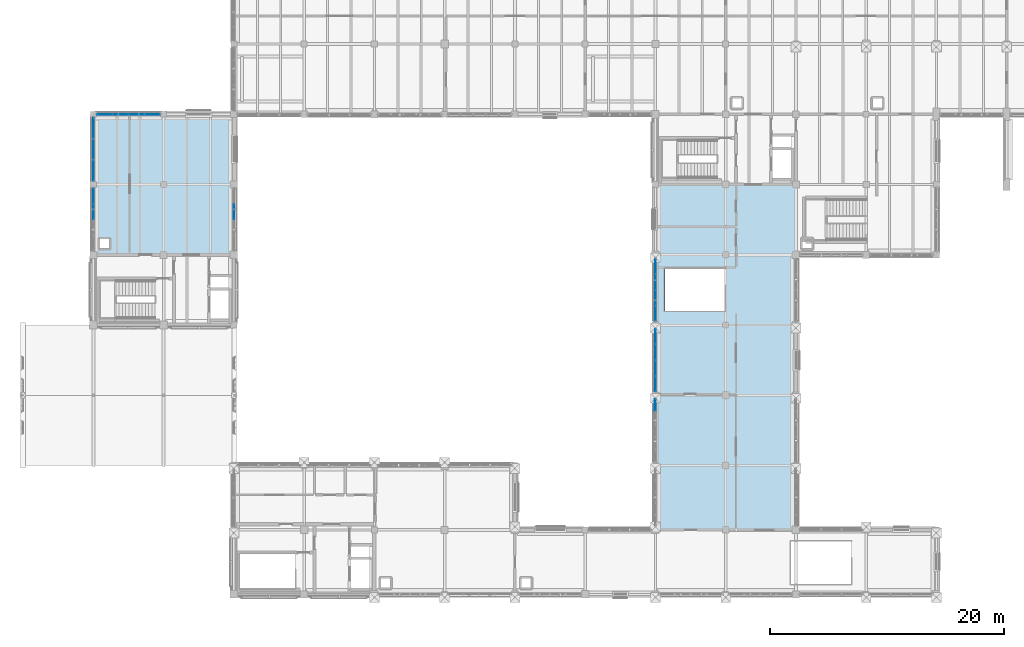
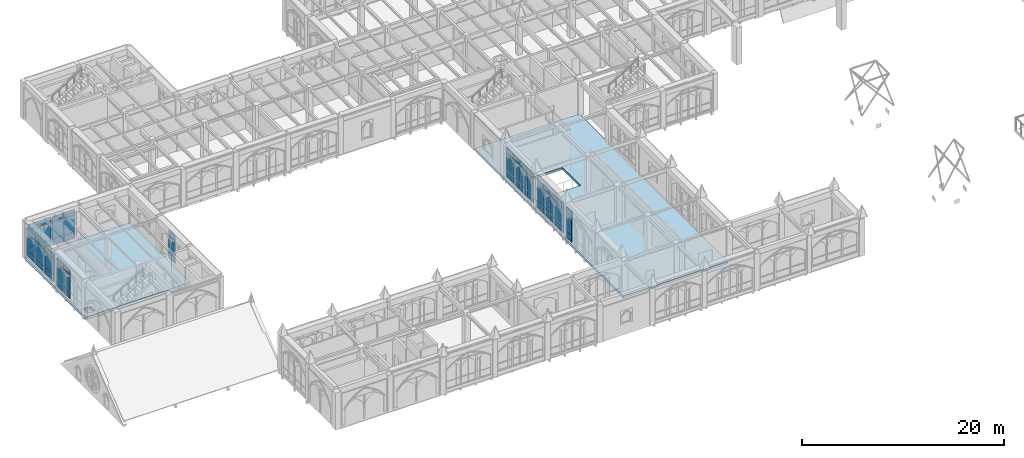
# One storey, part 87 of 143: 57 plates, 2 slabs, 7 elements without a shape of their own.
"""IFC4 building model written with IfcOpenShell, lengths in metres."""

from ifc_helpers import new_model, si_unit, direction, frame, origin, origin_2d, place, context, subcontext, project, spatial, polyline, rectangle, outline, extrude, material, layer, layer_set, type_object, element, aggregate, save


model = new_model("IFC4")

# Units and contexts
model_context = context("Model", 3, precision=1e-05, world=origin(), true_north=direction((0.0, 1.0)))
body_context = subcontext(model_context, "Body", "Model", "MODEL_VIEW")
ifc_project = project(units=[si_unit("LENGTHUNIT", "METRE"), si_unit("AREAUNIT", "SQUARE_METRE"), si_unit("VOLUMEUNIT", "CUBIC_METRE"), si_unit("PLANEANGLEUNIT", "RADIAN"), si_unit("MASSUNIT", "GRAM", prefix="KILO")], contexts=[model_context])

# Site, building, storey
site_placement = place(None, origin())
site = spatial("IfcSite", under=ifc_project, at=site_placement, CompositionType="ELEMENT")
building_placement = place(site_placement, origin())
building = spatial("IfcBuilding", under=site, at=building_placement, Name="Cumevento Cable Car Station", CompositionType="ELEMENT")
storey_placement = place(building_placement, frame((0.0, 0.0, 9.0)))
storey = spatial("IfcBuildingStorey", under=building, at=storey_placement, Name="L03", CompositionType="ELEMENT", Elevation=9.0)

# Slabs
ifc_material_1 = material(Name="Concrete C40/50", Category="concrete")
ifc_layer_1 = layer(ifc_material_1, 0.260009765625)
ifc_layer_set_1 = layer_set([ifc_layer_1], Name="Concrete C40/50")
slab_type_1 = type_object("IfcSlabType", Name="Concrete Deck FS-260 260", PredefinedType="FLOOR", material=ifc_layer_set_1)
slab_1_placement = place(storey_placement, frame((0.0, 0.0, -0.260009765625)))
element("IfcSlab", 1, at=slab_1_placement, inside=storey, type_object=slab_type_1, Name="Floor Slab FS-260 L03 B_V2b.1", PredefinedType="FLOOR", context=body_context, shape_type="SweptSolid", body=[
    extrude(outline(polyline([(58.0, 9.5), (70.0, 9.5), (70.0, 39.0), (58.0, 39.0), (58.0, 9.5)]), holes=[polyline([(58.800048828125, 28.199951171875), (63.89990234375, 28.199951171875), (63.89990234375, 31.800048828125), (58.800048828125, 31.800048828125), (58.800048828125, 28.199951171875)])]), origin(), (0.0, 0.0, 1.0), 0.260009765625),
])
ifc_material_2 = material(Name="Concrete C40/50", Category="concrete")
ifc_layer_2 = layer(ifc_material_2, 0.31494140625)
ifc_layer_set_2 = layer_set([ifc_layer_2], Name="Concrete C40/50")
slab_type_2 = type_object("IfcSlabType", Name="Concrete Deck FS-315 315", PredefinedType="FLOOR", material=ifc_layer_set_2)
slab_2_placement = place(storey_placement, frame((0.0, 0.0, -0.31494140625)))
element("IfcSlab", 2, at=slab_2_placement, inside=storey, type_object=slab_type_2, Name="Floor Slab FS-315 L03 B_V6b.1", PredefinedType="FLOOR", context=body_context, shape_type="SweptSolid", body=[
    extrude(outline(polyline([(10.0, 33.0), (22.0, 33.0), (22.0, 45.0), (10.0, 45.0), (10.0, 33.0)]), holes=[polyline([(10.550048828125, 33.550048828125), (11.35009765625, 33.550048828125), (11.35009765625, 34.35009765625), (10.550048828125, 34.35009765625), (10.550048828125, 33.550048828125)])]), origin(), (0.0, 0.0, 1.0), 0.31494140625),
])

# Curtain wall, plates
ifc_material_3 = material(Name="Anodised Bronze Aluminium AW-6063-T6", Category="aluminium")
ifc_layer_3 = layer(ifc_material_3, 0.18408203125)
ifc_layer_set_3 = layer_set([ifc_layer_3], Name="Anodised Bronze Aluminium AW-6063-T6")
curtain_wall_type_1 = type_object("IfcCurtainWallType", Name="Lancet Curtain Wall CW-05 1210", PredefinedType="NOTDEFINED", material=ifc_layer_set_3)
curtain_wall_1_placement = place(storey_placement, origin())
curtain_wall_1 = element("IfcCurtainWall", 3, at=curtain_wall_1_placement, inside=storey, type_object=curtain_wall_type_1, Name="Lancet Curtain Wall CW-05 L03 #84", PredefinedType="NOTDEFINED")
ifc_material_4 = material(Name="Solar Control Laminated Double Glazing", Category="glass")
ifc_layer_4 = layer(ifc_material_4, 0.02197265625)
ifc_layer_set_4 = layer_set([ifc_layer_4], Name="Solar Control Laminated Double Glazing")
plate_type_1 = type_object("IfcPlateType", Name="Glazed Panel CWP-01 22", PredefinedType="CURTAIN_PANEL", material=ifc_layer_set_4)
plate_1_placement = place(storey_placement, frame((58.0, 21.969482421875, 0.425048828125), z_axis=(0.0, 0.0, 1.0), x_axis=(0.0, 1.0, 0.0)))
plate_1 = element("IfcPlate", 4, at=plate_1_placement, type_object=plate_type_1, Name="CW-05 panel 1.1", PredefinedType="CURTAIN_PANEL", context=body_context, shape_type="SweptSolid", body=[
    extrude(rectangle(XDim=1.2587890625, YDim=0.02197265625, at=origin_2d()), origin(), (0.0, 0.0, 1.0), 0.75244140625),
])
plate_2_placement = place(storey_placement, frame((58.0, 21.969482421875, 1.24267578125), z_axis=(0.0, 0.0, 1.0), x_axis=(0.0, 1.0, 0.0)))
plate_2 = element("IfcPlate", 5, at=plate_2_placement, type_object=plate_type_1, Name="CW-05 panel 1.2", PredefinedType="CURTAIN_PANEL", context=body_context, shape_type="SweptSolid", body=[
    extrude(rectangle(XDim=1.2587890625, YDim=0.02197265625, at=origin_2d()), origin(), (0.0, 0.0, 1.0), 2.117919921875),
])
plate_3_placement = place(storey_placement, frame((58.0, 21.969482421875, 3.425537109375), z_axis=(0.0, 0.0, 1.0), x_axis=(0.0, 1.0, 0.0)))
plate_3 = element("IfcPlate", 6, at=plate_3_placement, type_object=plate_type_1, Name="CW-05 panel 1.3", PredefinedType="CURTAIN_PANEL", context=body_context, shape_type="SweptSolid", body=[
    extrude(rectangle(XDim=1.2587890625, YDim=0.02197265625, at=origin_2d()), origin(), (0.0, 0.0, 1.0), 0.6025390625),
])
plate_4_placement = place(storey_placement, frame((58.0, 23.309326171875, 0.425048828125), z_axis=(0.0, 0.0, 1.0), x_axis=(0.0, 1.0, 0.0)))
plate_4 = element("IfcPlate", 7, at=plate_4_placement, type_object=plate_type_1, Name="CW-05 panel 2.1", PredefinedType="CURTAIN_PANEL", context=body_context, shape_type="SweptSolid", body=[
    extrude(rectangle(XDim=1.291259765625, YDim=0.02197265625, at=origin_2d()), origin(), (0.0, 0.0, 1.0), 0.75244140625),
])
plate_5_placement = place(storey_placement, frame((58.0, 23.309326171875, 1.24267578125), z_axis=(0.0, 0.0, 1.0), x_axis=(0.0, 1.0, 0.0)))
plate_5 = element("IfcPlate", 8, at=plate_5_placement, type_object=plate_type_1, Name="CW-05 panel 2.2", PredefinedType="CURTAIN_PANEL", context=body_context, shape_type="SweptSolid", body=[
    extrude(rectangle(XDim=1.291259765625, YDim=0.02197265625, at=origin_2d()), origin(), (0.0, 0.0, 1.0), 2.117919921875),
])
plate_6_placement = place(storey_placement, frame((58.0, 23.309326171875, 3.425537109375), z_axis=(0.0, 0.0, 1.0), x_axis=(0.0, 1.0, 0.0)))
plate_6 = element("IfcPlate", 9, at=plate_6_placement, type_object=plate_type_1, Name="CW-05 panel 2.3", PredefinedType="CURTAIN_PANEL", context=body_context, shape_type="SweptSolid", body=[
    extrude(rectangle(XDim=1.291259765625, YDim=0.02197265625, at=origin_2d()), origin(), (0.0, 0.0, 1.0), 0.6025390625),
])
plate_7_placement = place(storey_placement, frame((58.0, 24.66552734375, 0.425048828125), z_axis=(0.0, 0.0, 1.0), x_axis=(0.0, 1.0, 0.0)))
plate_7 = element("IfcPlate", 10, at=plate_7_placement, type_object=plate_type_1, Name="CW-05 panel 3.1", PredefinedType="CURTAIN_PANEL", context=body_context, shape_type="SweptSolid", body=[
    extrude(rectangle(XDim=1.291259765625, YDim=0.02197265625, at=origin_2d()), origin(), (0.0, 0.0, 1.0), 0.75244140625),
])
plate_8_placement = place(storey_placement, frame((58.0, 24.66552734375, 1.24267578125), z_axis=(0.0, 0.0, 1.0), x_axis=(0.0, 1.0, 0.0)))
plate_8 = element("IfcPlate", 11, at=plate_8_placement, type_object=plate_type_1, Name="CW-05 panel 3.2", PredefinedType="CURTAIN_PANEL", context=body_context, shape_type="SweptSolid", body=[
    extrude(rectangle(XDim=1.291259765625, YDim=0.02197265625, at=origin_2d()), origin(), (0.0, 0.0, 1.0), 2.117919921875),
])
plate_9_placement = place(storey_placement, frame((58.0, 24.66552734375, 3.425537109375), z_axis=(0.0, 0.0, 1.0), x_axis=(0.0, 1.0, 0.0)))
plate_9 = element("IfcPlate", 12, at=plate_9_placement, type_object=plate_type_1, Name="CW-05 panel 3.3", PredefinedType="CURTAIN_PANEL", context=body_context, shape_type="SweptSolid", body=[
    extrude(rectangle(XDim=1.291259765625, YDim=0.02197265625, at=origin_2d()), origin(), (0.0, 0.0, 1.0), 0.6025390625),
])
plate_10_placement = place(storey_placement, frame((58.0, 26.005615234375, 0.425048828125), z_axis=(0.0, 0.0, 1.0), x_axis=(0.0, 1.0, 0.0)))
plate_10 = element("IfcPlate", 13, at=plate_10_placement, type_object=plate_type_1, Name="CW-05 panel 4.1", PredefinedType="CURTAIN_PANEL", context=body_context, shape_type="SweptSolid", body=[
    extrude(rectangle(XDim=1.2587890625, YDim=0.02197265625, at=origin_2d()), origin(), (0.0, 0.0, 1.0), 0.75244140625),
])
plate_11_placement = place(storey_placement, frame((58.0, 26.005615234375, 1.24267578125), z_axis=(0.0, 0.0, 1.0), x_axis=(0.0, 1.0, 0.0)))
plate_11 = element("IfcPlate", 14, at=plate_11_placement, type_object=plate_type_1, Name="CW-05 panel 4.2", PredefinedType="CURTAIN_PANEL", context=body_context, shape_type="SweptSolid", body=[
    extrude(rectangle(XDim=1.2587890625, YDim=0.02197265625, at=origin_2d()), origin(), (0.0, 0.0, 1.0), 2.117919921875),
])
plate_12_placement = place(storey_placement, frame((58.0, 26.005615234375, 3.425537109375), z_axis=(0.0, 0.0, 1.0), x_axis=(0.0, 1.0, 0.0)))
plate_12 = element("IfcPlate", 15, at=plate_12_placement, type_object=plate_type_1, Name="CW-05 panel 4.3", PredefinedType="CURTAIN_PANEL", context=body_context, shape_type="SweptSolid", body=[
    extrude(rectangle(XDim=1.2587890625, YDim=0.02197265625, at=origin_2d()), origin(), (0.0, 0.0, 1.0), 0.6025390625),
])
aggregate(curtain_wall_1, [plate_1, plate_2, plate_3, plate_4, plate_5, plate_6, plate_7, plate_8, plate_9, plate_10, plate_11, plate_12])

ifc_material_5 = material(Name="Anodised Bronze Aluminium AW-6063-T6", Category="aluminium")
ifc_layer_5 = layer(ifc_material_5, 0.18994140625)
ifc_layer_set_5 = layer_set([ifc_layer_5], Name="Anodised Bronze Aluminium AW-6063-T6")
curtain_wall_type_2 = type_object("IfcCurtainWallType", Name="Lancet Curtain Wall CW-06 1250", PredefinedType="NOTDEFINED", material=ifc_layer_set_5)
curtain_wall_2_placement = place(storey_placement, origin())
curtain_wall_2 = element("IfcCurtainWall", 16, at=curtain_wall_2_placement, inside=storey, type_object=curtain_wall_type_2, Name="Lancet Curtain Wall CW-06 L03 #85", PredefinedType="NOTDEFINED")
ifc_material_6 = material(Name="Solar Control Laminated Double Glazing", Category="glass")
ifc_layer_6 = layer(ifc_material_6, 0.02587890625)
ifc_layer_set_6 = layer_set([ifc_layer_6], Name="Solar Control Laminated Double Glazing")
plate_type_2 = type_object("IfcPlateType", Name="Glazed Panel CWP-02 26", PredefinedType="CURTAIN_PANEL", material=ifc_layer_set_6)
plate_13_placement = place(storey_placement, frame((58.0, 27.988037109375, 0.47509765625), z_axis=(0.0, 0.0, 1.0), x_axis=(0.0, 1.0, 0.0)))
plate_13 = element("IfcPlate", 17, at=plate_13_placement, type_object=plate_type_2, Name="CW-06 panel 1.1", PredefinedType="CURTAIN_PANEL", context=body_context, shape_type="SweptSolid", body=[
    extrude(rectangle(XDim=1.246337890625, YDim=0.02587890625, at=origin_2d()), origin(), (0.0, 0.0, 1.0), 0.75244140625),
])
plate_14_placement = place(storey_placement, frame((58.0, 27.988037109375, 1.29248046875), z_axis=(0.0, 0.0, 1.0), x_axis=(0.0, 1.0, 0.0)))
plate_14 = element("IfcPlate", 18, at=plate_14_placement, type_object=plate_type_2, Name="CW-06 panel 1.2", PredefinedType="CURTAIN_PANEL", context=body_context, shape_type="SweptSolid", body=[
    extrude(rectangle(XDim=1.246337890625, YDim=0.02587890625, at=origin_2d()), origin(), (0.0, 0.0, 1.0), 2.068115234375),
])
plate_15_placement = place(storey_placement, frame((58.0, 27.988037109375, 3.425537109375), z_axis=(0.0, 0.0, 1.0), x_axis=(0.0, 1.0, 0.0)))
plate_15 = element("IfcPlate", 19, at=plate_15_placement, type_object=plate_type_2, Name="CW-06 panel 1.3", PredefinedType="CURTAIN_PANEL", context=body_context, shape_type="SweptSolid", body=[
    extrude(rectangle(XDim=1.246337890625, YDim=0.02587890625, at=origin_2d()), origin(), (0.0, 0.0, 1.0), 0.6025390625),
])
plate_16_placement = place(storey_placement, frame((58.0, 29.315673828125, 0.47509765625), z_axis=(0.0, 0.0, 1.0), x_axis=(0.0, 1.0, 0.0)))
plate_16 = element("IfcPlate", 20, at=plate_16_placement, type_object=plate_type_2, Name="CW-06 panel 2.1", PredefinedType="CURTAIN_PANEL", context=body_context, shape_type="SweptSolid", body=[
    extrude(rectangle(XDim=1.27880859375, YDim=0.02587890625, at=origin_2d()), origin(), (0.0, 0.0, 1.0), 0.75244140625),
])
plate_17_placement = place(storey_placement, frame((58.0, 29.315673828125, 1.29248046875), z_axis=(0.0, 0.0, 1.0), x_axis=(0.0, 1.0, 0.0)))
plate_17 = element("IfcPlate", 21, at=plate_17_placement, type_object=plate_type_2, Name="CW-06 panel 2.2", PredefinedType="CURTAIN_PANEL", context=body_context, shape_type="SweptSolid", body=[
    extrude(rectangle(XDim=1.27880859375, YDim=0.02587890625, at=origin_2d()), origin(), (0.0, 0.0, 1.0), 2.068115234375),
])
plate_18_placement = place(storey_placement, frame((58.0, 29.315673828125, 3.425537109375), z_axis=(0.0, 0.0, 1.0), x_axis=(0.0, 1.0, 0.0)))
plate_18 = element("IfcPlate", 22, at=plate_18_placement, type_object=plate_type_2, Name="CW-06 panel 2.3", PredefinedType="CURTAIN_PANEL", context=body_context, shape_type="SweptSolid", body=[
    extrude(rectangle(XDim=1.27880859375, YDim=0.02587890625, at=origin_2d()), origin(), (0.0, 0.0, 1.0), 0.6025390625),
])
plate_19_placement = place(storey_placement, frame((58.0, 30.659423828125, 0.47509765625), z_axis=(0.0, 0.0, 1.0), x_axis=(0.0, 1.0, 0.0)))
plate_19 = element("IfcPlate", 23, at=plate_19_placement, type_object=plate_type_2, Name="CW-06 panel 3.1", PredefinedType="CURTAIN_PANEL", context=body_context, shape_type="SweptSolid", body=[
    extrude(rectangle(XDim=1.27880859375, YDim=0.02587890625, at=origin_2d()), origin(), (0.0, 0.0, 1.0), 0.75244140625),
])
plate_20_placement = place(storey_placement, frame((58.0, 30.659423828125, 1.29248046875), z_axis=(0.0, 0.0, 1.0), x_axis=(0.0, 1.0, 0.0)))
plate_20 = element("IfcPlate", 24, at=plate_20_placement, type_object=plate_type_2, Name="CW-06 panel 3.2", PredefinedType="CURTAIN_PANEL", context=body_context, shape_type="SweptSolid", body=[
    extrude(rectangle(XDim=1.27880859375, YDim=0.02587890625, at=origin_2d()), origin(), (0.0, 0.0, 1.0), 2.068115234375),
])
plate_21_placement = place(storey_placement, frame((58.0, 30.659423828125, 3.425537109375), z_axis=(0.0, 0.0, 1.0), x_axis=(0.0, 1.0, 0.0)))
plate_21 = element("IfcPlate", 25, at=plate_21_placement, type_object=plate_type_2, Name="CW-06 panel 3.3", PredefinedType="CURTAIN_PANEL", context=body_context, shape_type="SweptSolid", body=[
    extrude(rectangle(XDim=1.27880859375, YDim=0.02587890625, at=origin_2d()), origin(), (0.0, 0.0, 1.0), 0.6025390625),
])
plate_22_placement = place(storey_placement, frame((58.0, 31.98681640625, 0.47509765625), z_axis=(0.0, 0.0, 1.0), x_axis=(0.0, 1.0, 0.0)))
plate_22 = element("IfcPlate", 26, at=plate_22_placement, type_object=plate_type_2, Name="CW-06 panel 4.1", PredefinedType="CURTAIN_PANEL", context=body_context, shape_type="SweptSolid", body=[
    extrude(rectangle(XDim=1.246337890625, YDim=0.02587890625, at=origin_2d()), origin(), (0.0, 0.0, 1.0), 0.75244140625),
])
plate_23_placement = place(storey_placement, frame((58.0, 31.98681640625, 1.29248046875), z_axis=(0.0, 0.0, 1.0), x_axis=(0.0, 1.0, 0.0)))
plate_23 = element("IfcPlate", 27, at=plate_23_placement, type_object=plate_type_2, Name="CW-06 panel 4.2", PredefinedType="CURTAIN_PANEL", context=body_context, shape_type="SweptSolid", body=[
    extrude(rectangle(XDim=1.246337890625, YDim=0.02587890625, at=origin_2d()), origin(), (0.0, 0.0, 1.0), 2.068115234375),
])
plate_24_placement = place(storey_placement, frame((58.0, 31.98681640625, 3.425537109375), z_axis=(0.0, 0.0, 1.0), x_axis=(0.0, 1.0, 0.0)))
plate_24 = element("IfcPlate", 28, at=plate_24_placement, type_object=plate_type_2, Name="CW-06 panel 4.3", PredefinedType="CURTAIN_PANEL", context=body_context, shape_type="SweptSolid", body=[
    extrude(rectangle(XDim=1.246337890625, YDim=0.02587890625, at=origin_2d()), origin(), (0.0, 0.0, 1.0), 0.6025390625),
])
aggregate(curtain_wall_2, [plate_13, plate_14, plate_15, plate_16, plate_17, plate_18, plate_19, plate_20, plate_21, plate_22, plate_23, plate_24])

ifc_material_7 = material(Name="Anodised Bronze Aluminium AW-6063-T6", Category="aluminium")
ifc_layer_7 = layer(ifc_material_7, 0.219970703125)
ifc_layer_set_7 = layer_set([ifc_layer_7], Name="Anodised Bronze Aluminium AW-6063-T6")
curtain_wall_type_3 = type_object("IfcCurtainWallType", Name="Lancet Curtain Wall CW-11 1450", PredefinedType="NOTDEFINED", material=ifc_layer_set_7)
curtain_wall_3_placement = place(storey_placement, origin())
curtain_wall_3 = element("IfcCurtainWall", 29, at=curtain_wall_3_placement, inside=storey, type_object=curtain_wall_type_3, Name="Lancet Curtain Wall CW-11 L03 #90", PredefinedType="NOTDEFINED")
ifc_material_8 = material(Name="Solar Control Laminated Double Glazing", Category="glass")
ifc_layer_8 = layer(ifc_material_8, 0.0458984375)
ifc_layer_set_8 = layer_set([ifc_layer_8], Name="Solar Control Laminated Double Glazing")
plate_type_3 = type_object("IfcPlateType", Name="Glazed Panel CWP-07 46", PredefinedType="CURTAIN_PANEL", material=ifc_layer_set_8)
plate_25_placement = place(storey_placement, frame((10.953857421875, 45.0, 0.324951171875), z_axis=(0.0, 0.0, 1.0), x_axis=(1.0, 0.0, 0.0)))
plate_25 = element("IfcPlate", 30, at=plate_25_placement, type_object=plate_type_3, Name="CW-11 panel 1.1", PredefinedType="CURTAIN_PANEL", context=body_context, shape_type="SweptSolid", body=[
    extrude(rectangle(XDim=1.277587890625, YDim=0.0458984375, at=origin_2d()), origin(), (0.0, 0.0, 1.0), 0.75244140625),
])
plate_26_placement = place(storey_placement, frame((10.953857421875, 45.0, 1.142578125), z_axis=(0.0, 0.0, 1.0), x_axis=(1.0, 0.0, 0.0)))
plate_26 = element("IfcPlate", 31, at=plate_26_placement, type_object=plate_type_3, Name="CW-11 panel 1.2", PredefinedType="CURTAIN_PANEL", context=body_context, shape_type="SweptSolid", body=[
    extrude(rectangle(XDim=1.277587890625, YDim=0.0458984375, at=origin_2d()), origin(), (0.0, 0.0, 1.0), 2.01806640625),
])
plate_27_placement = place(storey_placement, frame((10.953857421875, 45.0, 3.2255859375), z_axis=(0.0, 0.0, 1.0), x_axis=(1.0, 0.0, 0.0)))
plate_27 = element("IfcPlate", 32, at=plate_27_placement, type_object=plate_type_3, Name="CW-11 panel 1.3", PredefinedType="CURTAIN_PANEL", context=body_context, shape_type="SweptSolid", body=[
    extrude(rectangle(XDim=1.277587890625, YDim=0.0458984375, at=origin_2d()), origin(), (0.0, 0.0, 1.0), 0.6025390625),
])
plate_28_placement = place(storey_placement, frame((12.3125, 45.0, 0.324951171875), z_axis=(0.0, 0.0, 1.0), x_axis=(1.0, 0.0, 0.0)))
plate_28 = element("IfcPlate", 33, at=plate_28_placement, type_object=plate_type_3, Name="CW-11 panel 2.1", PredefinedType="CURTAIN_PANEL", context=body_context, shape_type="SweptSolid", body=[
    extrude(rectangle(XDim=1.31005859375, YDim=0.0458984375, at=origin_2d()), origin(), (0.0, 0.0, 1.0), 0.75244140625),
])
plate_29_placement = place(storey_placement, frame((12.3125, 45.0, 1.142578125), z_axis=(0.0, 0.0, 1.0), x_axis=(1.0, 0.0, 0.0)))
plate_29 = element("IfcPlate", 34, at=plate_29_placement, type_object=plate_type_3, Name="CW-11 panel 2.2", PredefinedType="CURTAIN_PANEL", context=body_context, shape_type="SweptSolid", body=[
    extrude(rectangle(XDim=1.31005859375, YDim=0.0458984375, at=origin_2d()), origin(), (0.0, 0.0, 1.0), 2.01806640625),
])
plate_30_placement = place(storey_placement, frame((12.3125, 45.0, 3.2255859375), z_axis=(0.0, 0.0, 1.0), x_axis=(1.0, 0.0, 0.0)))
plate_30 = element("IfcPlate", 35, at=plate_30_placement, type_object=plate_type_3, Name="CW-11 panel 2.3", PredefinedType="CURTAIN_PANEL", context=body_context, shape_type="SweptSolid", body=[
    extrude(rectangle(XDim=1.31005859375, YDim=0.0458984375, at=origin_2d()), origin(), (0.0, 0.0, 1.0), 0.6025390625),
])
plate_31_placement = place(storey_placement, frame((13.6875, 45.0, 0.324951171875), z_axis=(0.0, 0.0, 1.0), x_axis=(1.0, 0.0, 0.0)))
plate_31 = element("IfcPlate", 36, at=plate_31_placement, type_object=plate_type_3, Name="CW-11 panel 3.1", PredefinedType="CURTAIN_PANEL", context=body_context, shape_type="SweptSolid", body=[
    extrude(rectangle(XDim=1.31005859375, YDim=0.0458984375, at=origin_2d()), origin(), (0.0, 0.0, 1.0), 0.75244140625),
])
plate_32_placement = place(storey_placement, frame((13.6875, 45.0, 1.142578125), z_axis=(0.0, 0.0, 1.0), x_axis=(1.0, 0.0, 0.0)))
plate_32 = element("IfcPlate", 37, at=plate_32_placement, type_object=plate_type_3, Name="CW-11 panel 3.2", PredefinedType="CURTAIN_PANEL", context=body_context, shape_type="SweptSolid", body=[
    extrude(rectangle(XDim=1.31005859375, YDim=0.0458984375, at=origin_2d()), origin(), (0.0, 0.0, 1.0), 2.01806640625),
])
plate_33_placement = place(storey_placement, frame((13.6875, 45.0, 3.2255859375), z_axis=(0.0, 0.0, 1.0), x_axis=(1.0, 0.0, 0.0)))
plate_33 = element("IfcPlate", 38, at=plate_33_placement, type_object=plate_type_3, Name="CW-11 panel 3.3", PredefinedType="CURTAIN_PANEL", context=body_context, shape_type="SweptSolid", body=[
    extrude(rectangle(XDim=1.31005859375, YDim=0.0458984375, at=origin_2d()), origin(), (0.0, 0.0, 1.0), 0.6025390625),
])
plate_34_placement = place(storey_placement, frame((15.046142578125, 45.0, 0.324951171875), z_axis=(0.0, 0.0, 1.0), x_axis=(1.0, 0.0, 0.0)))
plate_34 = element("IfcPlate", 39, at=plate_34_placement, type_object=plate_type_3, Name="CW-11 panel 4.1", PredefinedType="CURTAIN_PANEL", context=body_context, shape_type="SweptSolid", body=[
    extrude(rectangle(XDim=1.277587890625, YDim=0.0458984375, at=origin_2d()), origin(), (0.0, 0.0, 1.0), 0.75244140625),
])
plate_35_placement = place(storey_placement, frame((15.046142578125, 45.0, 1.142578125), z_axis=(0.0, 0.0, 1.0), x_axis=(1.0, 0.0, 0.0)))
plate_35 = element("IfcPlate", 40, at=plate_35_placement, type_object=plate_type_3, Name="CW-11 panel 4.2", PredefinedType="CURTAIN_PANEL", context=body_context, shape_type="SweptSolid", body=[
    extrude(rectangle(XDim=1.277587890625, YDim=0.0458984375, at=origin_2d()), origin(), (0.0, 0.0, 1.0), 2.01806640625),
])
plate_36_placement = place(storey_placement, frame((15.046142578125, 45.0, 3.2255859375), z_axis=(0.0, 0.0, 1.0), x_axis=(1.0, 0.0, 0.0)))
plate_36 = element("IfcPlate", 41, at=plate_36_placement, type_object=plate_type_3, Name="CW-11 panel 4.3", PredefinedType="CURTAIN_PANEL", context=body_context, shape_type="SweptSolid", body=[
    extrude(rectangle(XDim=1.277587890625, YDim=0.0458984375, at=origin_2d()), origin(), (0.0, 0.0, 1.0), 0.6025390625),
])
aggregate(curtain_wall_3, [plate_25, plate_26, plate_27, plate_28, plate_29, plate_30, plate_31, plate_32, plate_33, plate_34, plate_35, plate_36])

ifc_material_9 = material(Name="Anodised Bronze Aluminium AW-6063-T6", Category="aluminium")
ifc_layer_9 = layer(ifc_material_9, 0.22607421875)
ifc_layer_set_9 = layer_set([ifc_layer_9], Name="Anodised Bronze Aluminium AW-6063-T6")
curtain_wall_type_4 = type_object("IfcCurtainWallType", Name="Lancet Curtain Wall CW-12 1490", PredefinedType="NOTDEFINED", material=ifc_layer_set_9)
curtain_wall_4_placement = place(storey_placement, origin())
curtain_wall_4 = element("IfcCurtainWall", 42, at=curtain_wall_4_placement, inside=storey, type_object=curtain_wall_type_4, Name="Lancet Curtain Wall CW-12 L03 #91", PredefinedType="NOTDEFINED")
ifc_material_10 = material(Name="Solar Control Laminated Double Glazing", Category="glass")
ifc_layer_10 = layer(ifc_material_10, 0.050048828125)
ifc_layer_set_10 = layer_set([ifc_layer_10], Name="Solar Control Laminated Double Glazing")
plate_type_4 = type_object("IfcPlateType", Name="Glazed Panel CWP-08 50", PredefinedType="CURTAIN_PANEL", material=ifc_layer_set_10)
plate_37_placement = place(storey_placement, frame((10.0, 36.690673828125, 0.375), z_axis=(0.0, 0.0, 1.0), x_axis=(0.0, 1.0, 0.0)))
plate_37 = element("IfcPlate", 43, at=plate_37_placement, type_object=plate_type_4, Name="CW-12 panel 3.1", PredefinedType="CURTAIN_PANEL", context=body_context, shape_type="SweptSolid", body=[
    extrude(rectangle(XDim=1.291259765625, YDim=0.050048828125, at=origin_2d()), origin(), (0.0, 0.0, 1.0), 0.75244140625),
])
plate_38_placement = place(storey_placement, frame((10.0, 36.690673828125, 1.1923828125), z_axis=(0.0, 0.0, 1.0), x_axis=(0.0, 1.0, 0.0)))
plate_38 = element("IfcPlate", 44, at=plate_38_placement, type_object=plate_type_4, Name="CW-12 panel 3.2", PredefinedType="CURTAIN_PANEL", context=body_context, shape_type="SweptSolid", body=[
    extrude(rectangle(XDim=1.291259765625, YDim=0.050048828125, at=origin_2d()), origin(), (0.0, 0.0, 1.0), 1.968017578125),
])
plate_39_placement = place(storey_placement, frame((10.0, 36.690673828125, 3.2255859375), z_axis=(0.0, 0.0, 1.0), x_axis=(0.0, 1.0, 0.0)))
plate_39 = element("IfcPlate", 45, at=plate_39_placement, type_object=plate_type_4, Name="CW-12 panel 3.3", PredefinedType="CURTAIN_PANEL", context=body_context, shape_type="SweptSolid", body=[
    extrude(rectangle(XDim=1.291259765625, YDim=0.050048828125, at=origin_2d()), origin(), (0.0, 0.0, 1.0), 0.6025390625),
])
plate_40_placement = place(storey_placement, frame((10.0, 38.030517578125, 0.375), z_axis=(0.0, 0.0, 1.0), x_axis=(0.0, 1.0, 0.0)))
plate_40 = element("IfcPlate", 46, at=plate_40_placement, type_object=plate_type_4, Name="CW-12 panel 4.1", PredefinedType="CURTAIN_PANEL", context=body_context, shape_type="SweptSolid", body=[
    extrude(rectangle(XDim=1.2587890625, YDim=0.050048828125, at=origin_2d()), origin(), (0.0, 0.0, 1.0), 0.75244140625),
])
plate_41_placement = place(storey_placement, frame((10.0, 38.030517578125, 1.1923828125), z_axis=(0.0, 0.0, 1.0), x_axis=(0.0, 1.0, 0.0)))
plate_41 = element("IfcPlate", 47, at=plate_41_placement, type_object=plate_type_4, Name="CW-12 panel 4.2", PredefinedType="CURTAIN_PANEL", context=body_context, shape_type="SweptSolid", body=[
    extrude(rectangle(XDim=1.2587890625, YDim=0.050048828125, at=origin_2d()), origin(), (0.0, 0.0, 1.0), 1.968017578125),
])
plate_42_placement = place(storey_placement, frame((10.0, 38.030517578125, 3.2255859375), z_axis=(0.0, 0.0, 1.0), x_axis=(0.0, 1.0, 0.0)))
plate_42 = element("IfcPlate", 48, at=plate_42_placement, type_object=plate_type_4, Name="CW-12 panel 4.3", PredefinedType="CURTAIN_PANEL", context=body_context, shape_type="SweptSolid", body=[
    extrude(rectangle(XDim=1.2587890625, YDim=0.050048828125, at=origin_2d()), origin(), (0.0, 0.0, 1.0), 0.6025390625),
])
aggregate(curtain_wall_4, [plate_37, plate_38, plate_39, plate_40, plate_41, plate_42])

ifc_material_11 = material(Name="Anodised Bronze Aluminium AW-6063-T6", Category="aluminium")
ifc_layer_11 = layer(ifc_material_11, 0.23193359375)
ifc_layer_set_11 = layer_set([ifc_layer_11], Name="Anodised Bronze Aluminium AW-6063-T6")
curtain_wall_type_5 = type_object("IfcCurtainWallType", Name="Lancet Curtain Wall CW-13 1530", PredefinedType="NOTDEFINED", material=ifc_layer_set_11)
curtain_wall_5_placement = place(storey_placement, origin())
curtain_wall_5 = element("IfcCurtainWall", 49, at=curtain_wall_5_placement, inside=storey, type_object=curtain_wall_type_5, Name="Lancet Curtain Wall CW-13 L03 #92", PredefinedType="NOTDEFINED")
ifc_material_12 = material(Name="Insulated Bronze Aluminium Spandrel Panel", Category="aluminium")
ifc_layer_12 = layer(ifc_material_12, 0.054931640625)
ifc_layer_set_12 = layer_set([ifc_layer_12], Name="Insulated Bronze Aluminium Spandrel Panel")
plate_type_5 = type_object("IfcPlateType", Name="Spandrel Panel CWP-09 55", PredefinedType="CURTAIN_PANEL", material=ifc_layer_set_12)
plate_43_placement = place(storey_placement, frame((22.0, 36.684326171875, 0.425048828125), z_axis=(0.0, 0.0, 1.0), x_axis=(0.0, -1.0, 0.0)))
plate_43 = element("IfcPlate", 50, at=plate_43_placement, type_object=plate_type_5, Name="CW-13 panel 2.1", PredefinedType="CURTAIN_PANEL", context=body_context, shape_type="SweptSolid", body=[
    extrude(rectangle(XDim=1.27880859375, YDim=0.054931640625, at=origin_2d()), origin(), (0.0, 0.0, 1.0), 0.75244140625),
])
plate_44_placement = place(storey_placement, frame((22.0, 36.684326171875, 1.242431640625), z_axis=(0.0, 0.0, 1.0), x_axis=(0.0, -1.0, 0.0)))
plate_44 = element("IfcPlate", 51, at=plate_44_placement, type_object=plate_type_5, Name="CW-13 panel 2.2", PredefinedType="CURTAIN_PANEL", context=body_context, shape_type="SweptSolid", body=[
    extrude(rectangle(XDim=1.27880859375, YDim=0.054931640625, at=origin_2d()), origin(), (0.0, 0.0, 1.0), 1.91796875),
])
plate_45_placement = place(storey_placement, frame((22.0, 36.684326171875, 3.2255859375), z_axis=(0.0, 0.0, 1.0), x_axis=(0.0, -1.0, 0.0)))
plate_45 = element("IfcPlate", 52, at=plate_45_placement, type_object=plate_type_5, Name="CW-13 panel 2.3", PredefinedType="CURTAIN_PANEL", context=body_context, shape_type="SweptSolid", body=[
    extrude(rectangle(XDim=1.27880859375, YDim=0.054931640625, at=origin_2d()), origin(), (0.0, 0.0, 1.0), 0.6025390625),
])
aggregate(curtain_wall_5, [plate_43, plate_44, plate_45])

ifc_material_13 = material(Name="Anodised Bronze Aluminium AW-6063-T6", Category="aluminium")
ifc_layer_13 = layer(ifc_material_13, 0.238037109375)
ifc_layer_set_13 = layer_set([ifc_layer_13], Name="Anodised Bronze Aluminium AW-6063-T6")
curtain_wall_type_6 = type_object("IfcCurtainWallType", Name="Lancet Curtain Wall CW-14 1570", PredefinedType="NOTDEFINED", material=ifc_layer_set_13)
curtain_wall_6_placement = place(storey_placement, origin())
curtain_wall_6 = element("IfcCurtainWall", 53, at=curtain_wall_6_placement, inside=storey, type_object=curtain_wall_type_6, Name="Lancet Curtain Wall CW-14 L03 #93", PredefinedType="NOTDEFINED")
ifc_material_14 = material(Name="Insulated Bronze Aluminium Spandrel Panel", Category="aluminium")
ifc_layer_14 = layer(ifc_material_14, 0.06005859375)
ifc_layer_set_14 = layer_set([ifc_layer_14], Name="Insulated Bronze Aluminium Spandrel Panel")
plate_type_6 = type_object("IfcPlateType", Name="Spandrel Panel CWP-10 60", PredefinedType="CURTAIN_PANEL", material=ifc_layer_set_14)
plate_46_placement = place(storey_placement, frame((10.0, 40.203857421875, 0.47509765625), z_axis=(0.0, 0.0, 1.0), x_axis=(0.0, 1.0, 0.0)))
plate_46 = element("IfcPlate", 54, at=plate_46_placement, type_object=plate_type_6, Name="CW-14 panel 1.1", PredefinedType="CURTAIN_PANEL", context=body_context, shape_type="SweptSolid", body=[
    extrude(rectangle(XDim=1.7275390625, YDim=0.06005859375, at=origin_2d()), origin(), (0.0, 0.0, 1.0), 0.75244140625),
])
plate_47_placement = place(storey_placement, frame((10.0, 40.203857421875, 1.29248046875), z_axis=(0.0, 0.0, 1.0), x_axis=(0.0, 1.0, 0.0)))
plate_47 = element("IfcPlate", 55, at=plate_47_placement, type_object=plate_type_6, Name="CW-14 panel 1.2", PredefinedType="CURTAIN_PANEL", context=body_context, shape_type="SweptSolid", body=[
    extrude(rectangle(XDim=1.7275390625, YDim=0.06005859375, at=origin_2d()), origin(), (0.0, 0.0, 1.0), 1.867919921875),
])
plate_48_placement = place(storey_placement, frame((10.0, 40.203857421875, 3.2255859375), z_axis=(0.0, 0.0, 1.0), x_axis=(0.0, 1.0, 0.0)))
plate_48 = element("IfcPlate", 56, at=plate_48_placement, type_object=plate_type_6, Name="CW-14 panel 1.3", PredefinedType="CURTAIN_PANEL", context=body_context, shape_type="SweptSolid", body=[
    extrude(rectangle(XDim=1.7275390625, YDim=0.06005859375, at=origin_2d()), origin(), (0.0, 0.0, 1.0), 0.6025390625),
])
plate_49_placement = place(storey_placement, frame((10.0, 42.012451171875, 0.47509765625), z_axis=(0.0, 0.0, 1.0), x_axis=(0.0, 1.0, 0.0)))
plate_49 = element("IfcPlate", 57, at=plate_49_placement, type_object=plate_type_6, Name="CW-14 panel 2.1", PredefinedType="CURTAIN_PANEL", context=body_context, shape_type="SweptSolid", body=[
    extrude(rectangle(XDim=1.760009765625, YDim=0.06005859375, at=origin_2d()), origin(), (0.0, 0.0, 1.0), 0.75244140625),
])
plate_50_placement = place(storey_placement, frame((10.0, 42.012451171875, 1.29248046875), z_axis=(0.0, 0.0, 1.0), x_axis=(0.0, 1.0, 0.0)))
plate_50 = element("IfcPlate", 58, at=plate_50_placement, type_object=plate_type_6, Name="CW-14 panel 2.2", PredefinedType="CURTAIN_PANEL", context=body_context, shape_type="SweptSolid", body=[
    extrude(rectangle(XDim=1.760009765625, YDim=0.06005859375, at=origin_2d()), origin(), (0.0, 0.0, 1.0), 1.867919921875),
])
plate_51_placement = place(storey_placement, frame((10.0, 42.012451171875, 3.2255859375), z_axis=(0.0, 0.0, 1.0), x_axis=(0.0, 1.0, 0.0)))
plate_51 = element("IfcPlate", 59, at=plate_51_placement, type_object=plate_type_6, Name="CW-14 panel 2.3", PredefinedType="CURTAIN_PANEL", context=body_context, shape_type="SweptSolid", body=[
    extrude(rectangle(XDim=1.760009765625, YDim=0.06005859375, at=origin_2d()), origin(), (0.0, 0.0, 1.0), 0.6025390625),
])
plate_52_placement = place(storey_placement, frame((10.0, 43.8212890625, 0.47509765625), z_axis=(0.0, 0.0, 1.0), x_axis=(0.0, 1.0, 0.0)))
plate_52 = element("IfcPlate", 60, at=plate_52_placement, type_object=plate_type_6, Name="CW-14 panel 3.1", PredefinedType="CURTAIN_PANEL", context=body_context, shape_type="SweptSolid", body=[
    extrude(rectangle(XDim=1.7275390625, YDim=0.06005859375, at=origin_2d()), origin(), (0.0, 0.0, 1.0), 0.75244140625),
])
plate_53_placement = place(storey_placement, frame((10.0, 43.8212890625, 1.29248046875), z_axis=(0.0, 0.0, 1.0), x_axis=(0.0, 1.0, 0.0)))
plate_53 = element("IfcPlate", 61, at=plate_53_placement, type_object=plate_type_6, Name="CW-14 panel 3.2", PredefinedType="CURTAIN_PANEL", context=body_context, shape_type="SweptSolid", body=[
    extrude(rectangle(XDim=1.7275390625, YDim=0.06005859375, at=origin_2d()), origin(), (0.0, 0.0, 1.0), 1.867919921875),
])
plate_54_placement = place(storey_placement, frame((10.0, 43.8212890625, 3.2255859375), z_axis=(0.0, 0.0, 1.0), x_axis=(0.0, 1.0, 0.0)))
plate_54 = element("IfcPlate", 62, at=plate_54_placement, type_object=plate_type_6, Name="CW-14 panel 3.3", PredefinedType="CURTAIN_PANEL", context=body_context, shape_type="SweptSolid", body=[
    extrude(rectangle(XDim=1.7275390625, YDim=0.06005859375, at=origin_2d()), origin(), (0.0, 0.0, 1.0), 0.6025390625),
])
aggregate(curtain_wall_6, [plate_46, plate_47, plate_48, plate_49, plate_50, plate_51, plate_52, plate_53, plate_54])

ifc_material_15 = material(Name="Anodised Bronze Aluminium AW-6063-T6", Category="aluminium")
ifc_layer_15 = layer(ifc_material_15, 0.172119140625)
ifc_layer_set_15 = layer_set([ifc_layer_15], Name="Anodised Bronze Aluminium AW-6063-T6")
curtain_wall_type_7 = type_object("IfcCurtainWallType", Name="Lancet Curtain Wall CW-03 1130", PredefinedType="NOTDEFINED", material=ifc_layer_set_15)
curtain_wall_7_placement = place(storey_placement, origin())
curtain_wall_7 = element("IfcCurtainWall", 63, at=curtain_wall_7_placement, inside=storey, type_object=curtain_wall_type_7, Name="Lancet Curtain Wall CW-03 L03 #82", PredefinedType="NOTDEFINED")
ifc_material_16 = material(Name="Insulated Bronze Aluminium Spandrel Panel", Category="aluminium")
ifc_layer_16 = layer(ifc_material_16, 0.077880859375)
ifc_layer_set_16 = layer_set([ifc_layer_16], Name="Insulated Bronze Aluminium Spandrel Panel")
plate_type_7 = type_object("IfcPlateType", Name="Spandrel Panel CWP-13 78", PredefinedType="CURTAIN_PANEL", material=ifc_layer_set_16)
plate_55_placement = place(storey_placement, frame((58.0, 20.1611328125, 0.324951171875), z_axis=(0.0, 0.0, 1.0), x_axis=(0.0, 1.0, 0.0)))
plate_55 = element("IfcPlate", 64, at=plate_55_placement, type_object=plate_type_7, Name="CW-03 panel 5.1", PredefinedType="CURTAIN_PANEL", context=body_context, shape_type="SweptSolid", body=[
    extrude(rectangle(XDim=0.99755859375, YDim=0.077880859375, at=origin_2d()), origin(), (0.0, 0.0, 1.0), 0.75244140625),
])
plate_56_placement = place(storey_placement, frame((58.0, 20.1611328125, 1.142578125), z_axis=(0.0, 0.0, 1.0), x_axis=(0.0, 1.0, 0.0)))
plate_56 = element("IfcPlate", 65, at=plate_56_placement, type_object=plate_type_7, Name="CW-03 panel 5.2", PredefinedType="CURTAIN_PANEL", context=body_context, shape_type="SweptSolid", body=[
    extrude(rectangle(XDim=0.99755859375, YDim=0.077880859375, at=origin_2d()), origin(), (0.0, 0.0, 1.0), 2.218017578125),
])
plate_57_placement = place(storey_placement, frame((58.0, 20.1611328125, 3.425537109375), z_axis=(0.0, 0.0, 1.0), x_axis=(0.0, 1.0, 0.0)))
plate_57 = element("IfcPlate", 66, at=plate_57_placement, type_object=plate_type_7, Name="CW-03 panel 5.3", PredefinedType="CURTAIN_PANEL", context=body_context, shape_type="SweptSolid", body=[
    extrude(rectangle(XDim=0.99755859375, YDim=0.077880859375, at=origin_2d()), origin(), (0.0, 0.0, 1.0), 0.6025390625),
])
aggregate(curtain_wall_7, [plate_55, plate_56, plate_57])

save(model, "model.ifc")
